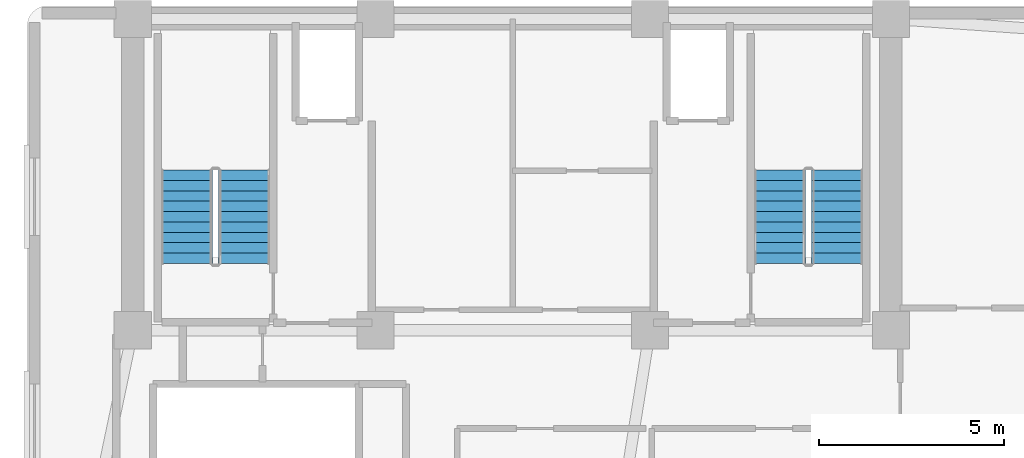
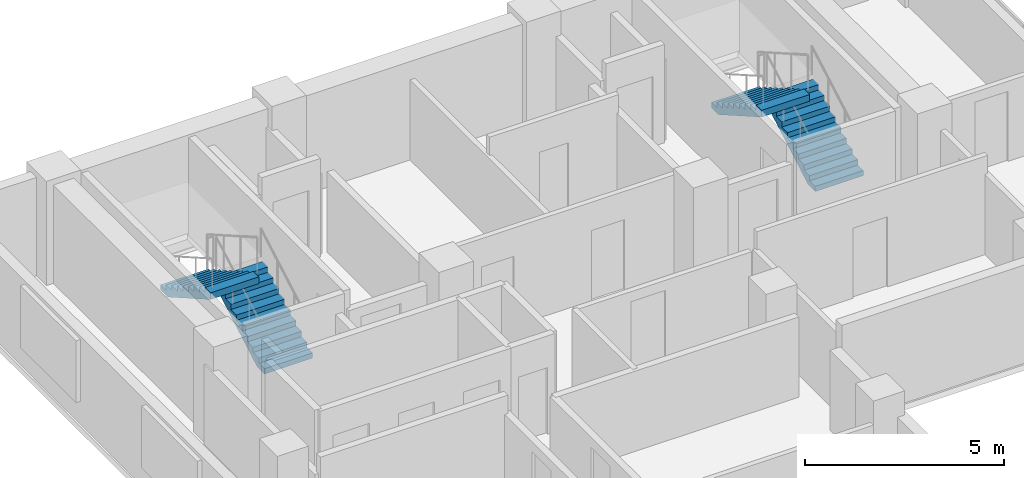
# One storey, part 8 of 10: 4 stair flights, 2 elements without a shape of their own.
"""IFC4 building model written with IfcOpenShell, lengths in metres."""

from ifc_helpers import new_model, si_unit, direction, frame, origin, place, context, subcontext, project, spatial, polyline, outline, extrude, material, type_object, element, aggregate, save


model = new_model("IFC4")

# Units and contexts
model_context = context("Model", 3, precision=1e-05, world=origin(), true_north=direction((0.0, 1.0)))
body_context = subcontext(model_context, "Body", "Model", "MODEL_VIEW")
ifc_project = project(units=[si_unit("LENGTHUNIT", "METRE"), si_unit("AREAUNIT", "SQUARE_METRE"), si_unit("VOLUMEUNIT", "CUBIC_METRE"), si_unit("PLANEANGLEUNIT", "RADIAN"), si_unit("MASSUNIT", "GRAM", prefix="KILO")], contexts=[model_context])

# Site, building, storey
site_placement = place(None, origin())
site = spatial("IfcSite", under=ifc_project, at=site_placement, CompositionType="ELEMENT")
building_placement = place(site_placement, origin())
building = spatial("IfcBuilding", under=site, at=building_placement, Name="Kuzgunbayir Cultural Tower", CompositionType="ELEMENT")
storey_placement = place(building_placement, frame((0.0, 0.0, 160.0)))
storey = spatial("IfcBuildingStorey", under=building, at=storey_placement, Name="L46", CompositionType="ELEMENT", Elevation=160.0)

# Stair, stair flights
ifc_material = material(Name="Concrete C40/50", Category="concrete")
stair_type = type_object("IfcStairType", Name="STR-EXIT-CORE", PredefinedType="HALF_TURN_STAIR", material=ifc_material)
stair_1_placement = place(storey_placement, origin())
stair_1 = element("IfcStair", 1, at=stair_1_placement, inside=storey, type_object=stair_type, Name="L46 ST-1", PredefinedType="HALF_TURN_STAIR")
stair_flight_type = type_object("IfcStairFlightType", Name="STRF-RC-140", PredefinedType="STRAIGHT", material=ifc_material)
stair_flight_1_placement = place(storey_placement, frame((9.4599609375, 35.60009765625, 0.0), z_axis=(0.0, 0.0, 1.0), x_axis=(0.0, 1.0, 0.0)))
stair_flight_1 = element("IfcStairFlight", 2, at=stair_flight_1_placement, type_object=stair_flight_type, Name="ST-1 flight 1", NumberOfRisers=10, NumberOfTreads=9, PredefinedType="STRAIGHT", RiserHeight=0.16, TreadLength=0.28, context=body_context, shape_type="SweptSolid", body=[
    extrude(outline(polyline([(0.0, 0.0), (0.0, 0.159912109375), (0.280029296875, 0.159912109375), (0.280029296875, 0.320068359375), (0.56005859375, 0.320068359375), (0.56005859375, 0.47998046875), (0.840087890625, 0.47998046875), (0.840087890625, 0.639892578125), (1.1201171875, 0.639892578125), (1.1201171875, 0.800048828125), (1.39990234375, 0.800048828125), (1.39990234375, 0.9599609375), (1.679931640625, 0.9599609375), (1.679931640625, 1.1201171875), (1.9599609375, 1.1201171875), (1.9599609375, 1.280029296875), (2.239990234375, 1.280029296875), (2.239990234375, 1.43994140625), (2.52001953125, 1.43994140625), (2.52001953125, 1.60009765625), (2.52001953125, 1.232666015625), (0.362548828125, 0.0), (0.0, 0.0)])), frame((0.0, 0.699951171875, 0.0), z_axis=(0.0, -1.0, 0.0), x_axis=(1.0, 0.0, 0.0)), (0.0, 0.0, 1.0), 1.39990234375),
])
stair_flight_2_placement = place(storey_placement, frame((7.89990234375, 38.1201171875, 1.60009765625), z_axis=(0.0, 0.0, 1.0), x_axis=(0.0, -1.0, 0.0)))
stair_flight_2 = element("IfcStairFlight", 3, at=stair_flight_2_placement, type_object=stair_flight_type, Name="ST-1 flight 2", NumberOfRisers=10, NumberOfTreads=9, PredefinedType="STRAIGHT", RiserHeight=0.16, TreadLength=0.28, context=body_context, shape_type="SweptSolid", body=[
    extrude(outline(polyline([(0.0, 0.0), (0.0, 0.159912109375), (0.280029296875, 0.159912109375), (0.280029296875, 0.320068359375), (0.56005859375, 0.320068359375), (0.56005859375, 0.47998046875), (0.840087890625, 0.47998046875), (0.840087890625, 0.639892578125), (1.1201171875, 0.639892578125), (1.1201171875, 0.800048828125), (1.39990234375, 0.800048828125), (1.39990234375, 0.9599609375), (1.679931640625, 0.9599609375), (1.679931640625, 1.1201171875), (1.9599609375, 1.1201171875), (1.9599609375, 1.280029296875), (2.239990234375, 1.280029296875), (2.239990234375, 1.43994140625), (2.52001953125, 1.43994140625), (2.52001953125, 1.60009765625), (2.52001953125, 1.232666015625), (0.362548828125, 0.0), (0.0, 0.0)])), frame((0.0, 0.699951171875, 0.0), z_axis=(0.0, -1.0, 0.0), x_axis=(1.0, 0.0, 0.0)), (0.0, 0.0, 1.0), 1.39990234375),
])
aggregate(stair_1, [stair_flight_1, stair_flight_2])

stair_2_placement = place(storey_placement, origin())
stair_2 = element("IfcStair", 4, at=stair_2_placement, inside=storey, type_object=stair_type, Name="L46 ST-2", PredefinedType="HALF_TURN_STAIR")
stair_flight_3_placement = place(storey_placement, frame((25.4599609375, 35.60009765625, 0.0), z_axis=(0.0, 0.0, 1.0), x_axis=(0.0, 1.0, 0.0)))
stair_flight_3 = element("IfcStairFlight", 5, at=stair_flight_3_placement, type_object=stair_flight_type, Name="ST-2 flight 1", NumberOfRisers=10, NumberOfTreads=9, PredefinedType="STRAIGHT", RiserHeight=0.16, TreadLength=0.28, context=body_context, shape_type="SweptSolid", body=[
    extrude(outline(polyline([(0.0, 0.0), (0.0, 0.159912109375), (0.280029296875, 0.159912109375), (0.280029296875, 0.320068359375), (0.56005859375, 0.320068359375), (0.56005859375, 0.47998046875), (0.840087890625, 0.47998046875), (0.840087890625, 0.639892578125), (1.1201171875, 0.639892578125), (1.1201171875, 0.800048828125), (1.39990234375, 0.800048828125), (1.39990234375, 0.9599609375), (1.679931640625, 0.9599609375), (1.679931640625, 1.1201171875), (1.9599609375, 1.1201171875), (1.9599609375, 1.280029296875), (2.239990234375, 1.280029296875), (2.239990234375, 1.43994140625), (2.52001953125, 1.43994140625), (2.52001953125, 1.60009765625), (2.52001953125, 1.232666015625), (0.362548828125, 0.0), (0.0, 0.0)])), frame((0.0, 0.699951171875, 0.0), z_axis=(0.0, -1.0, 0.0), x_axis=(1.0, 0.0, 0.0)), (0.0, 0.0, 1.0), 1.39990234375),
])
stair_flight_4_placement = place(storey_placement, frame((23.89990234375, 38.1201171875, 1.60009765625), z_axis=(0.0, 0.0, 1.0), x_axis=(0.0, -1.0, 0.0)))
stair_flight_4 = element("IfcStairFlight", 6, at=stair_flight_4_placement, type_object=stair_flight_type, Name="ST-2 flight 2", NumberOfRisers=10, NumberOfTreads=9, PredefinedType="STRAIGHT", RiserHeight=0.16, TreadLength=0.28, context=body_context, shape_type="SweptSolid", body=[
    extrude(outline(polyline([(0.0, 0.0), (0.0, 0.159912109375), (0.280029296875, 0.159912109375), (0.280029296875, 0.320068359375), (0.56005859375, 0.320068359375), (0.56005859375, 0.47998046875), (0.840087890625, 0.47998046875), (0.840087890625, 0.639892578125), (1.1201171875, 0.639892578125), (1.1201171875, 0.800048828125), (1.39990234375, 0.800048828125), (1.39990234375, 0.9599609375), (1.679931640625, 0.9599609375), (1.679931640625, 1.1201171875), (1.9599609375, 1.1201171875), (1.9599609375, 1.280029296875), (2.239990234375, 1.280029296875), (2.239990234375, 1.43994140625), (2.52001953125, 1.43994140625), (2.52001953125, 1.60009765625), (2.52001953125, 1.232666015625), (0.362548828125, 0.0), (0.0, 0.0)])), frame((0.0, 0.699951171875, 0.0), z_axis=(0.0, -1.0, 0.0), x_axis=(1.0, 0.0, 0.0)), (0.0, 0.0, 1.0), 1.39990234375),
])
aggregate(stair_2, [stair_flight_3, stair_flight_4])

save(model, "model.ifc")
